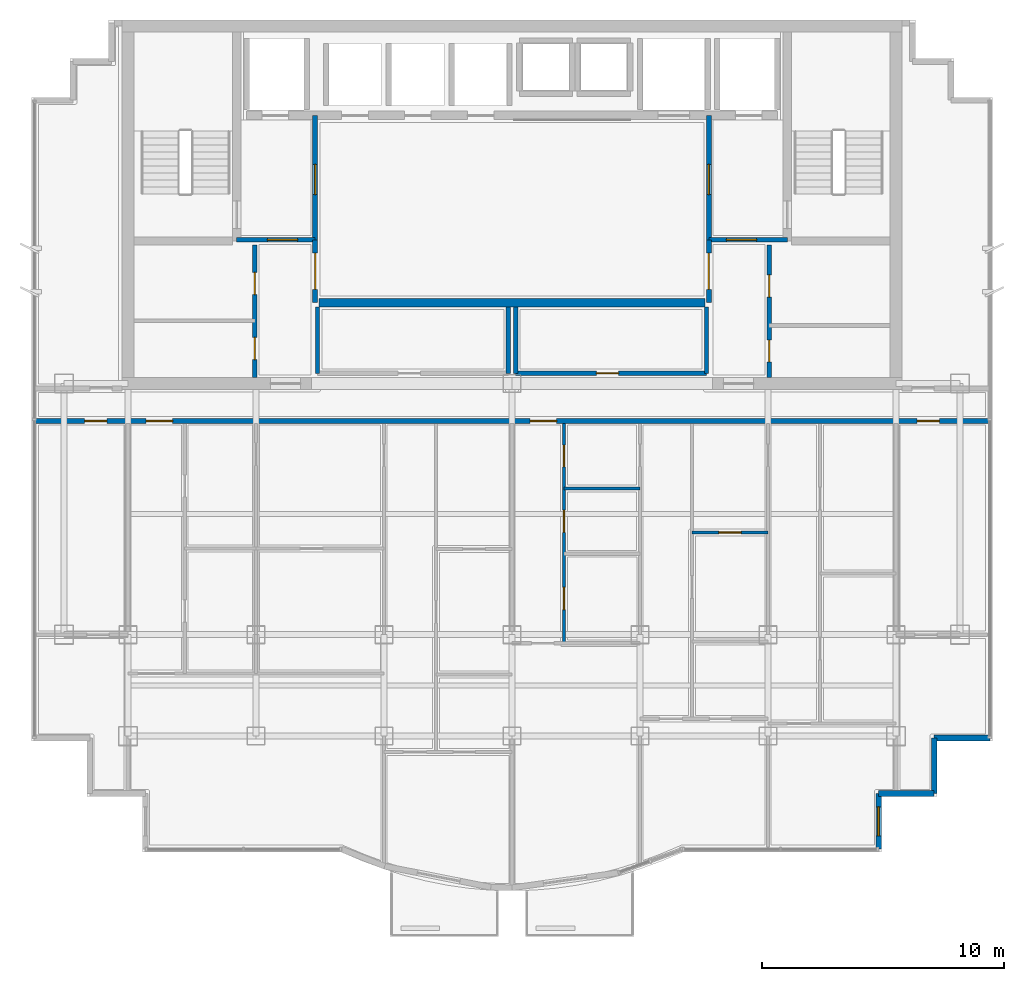
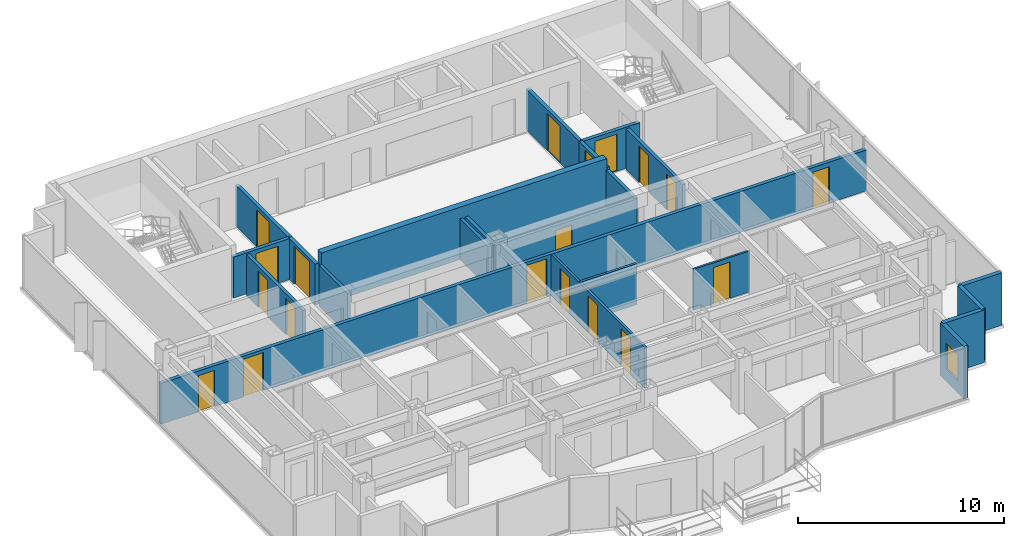
# One storey, part 8 of 12: 22 walls, 19 doors, 1 window, 20 openings.
"""IFC4 building model written with IfcOpenShell, lengths in metres."""

from ifc_helpers import new_model, si_unit, direction, frame, frame_2d, origin, place, context, subcontext, project, spatial, rectangle, extrude, material, layer, layer_set, type_object, element, fill, save


model = new_model("IFC4")

# Units and contexts
model_context = context("Model", 3, precision=1e-05, world=origin(), true_north=direction((0.0, 1.0)))
body_context = subcontext(model_context, "Body", "Model", "MODEL_VIEW")
ifc_project = project(units=[si_unit("LENGTHUNIT", "METRE"), si_unit("AREAUNIT", "SQUARE_METRE"), si_unit("VOLUMEUNIT", "CUBIC_METRE"), si_unit("PLANEANGLEUNIT", "RADIAN"), si_unit("MASSUNIT", "GRAM", prefix="KILO")], contexts=[model_context])

# Site, building, storey
site_placement = place(None, origin())
site = spatial("IfcSite", under=ifc_project, at=site_placement, CompositionType="ELEMENT")
building_placement = place(site_placement, origin())
building = spatial("IfcBuilding", under=site, at=building_placement, Name="Qianlan Lanfeng Residences", CompositionType="ELEMENT")
storey_placement = place(building_placement, frame((0.0, 0.0, 216.5)))
storey = spatial("IfcBuildingStorey", under=building, at=storey_placement, Name="L59", CompositionType="ELEMENT", Elevation=216.5)

# Wall
ifc_material_1 = material(Name="Concrete C49", Category="concrete")
ifc_layer_1 = layer(ifc_material_1, 0.35009765625)
ifc_layer_set_1 = layer_set([ifc_layer_1], Name="Concrete C49")
wall_type_1 = type_object("IfcWallType", Name="CW-RC-350", PredefinedType="SHEAR", material=ifc_layer_set_1)
wall_1_placement = place(storey_placement, frame((18.5, 28.550048828125, 0.0), z_axis=(0.0, 0.0, 1.0), x_axis=(1.0, 0.0, 0.0)))
element("IfcWall", 1, at=wall_1_placement, inside=storey, type_object=wall_type_1, Name="L59 Core Shear Wall LBS", PredefinedType="SHEAR", context=body_context, shape_type="SweptSolid", body=[
    extrude(rectangle(XDim=16.0, YDim=0.35009765625, at=frame_2d((8.0, 0.0))), origin(), (0.0, 0.0, 1.0), 3.110107421875),
])

# Wall, opening, window
ifc_material_2 = material(Name="Concrete C42", Category="concrete")
ifc_layer_2 = layer(ifc_material_2, 0.239990234375)
ifc_layer_set_2 = layer_set([ifc_layer_2], Name="Concrete C42")
wall_type_2 = type_object("IfcWallType", Name="EW-240", PredefinedType="SOLIDWALL", material=ifc_layer_set_2)
wall_2_placement = place(storey_placement, frame((41.679931640625, 5.919921875, 0.0), z_axis=(0.0, 0.0, 1.0), x_axis=(0.0, 1.0, 0.0)))
wall_2 = element("IfcWall", 2, at=wall_2_placement, inside=storey, type_object=wall_type_2, Name="L59 Exterior Facade Spandrel Wall 9", PredefinedType="SOLIDWALL", context=body_context, shape_type="SweptSolid", body=[
    extrude(rectangle(XDim=2.300048828125, YDim=0.239990234375, at=frame_2d((1.14990234375, 0.0))), origin(), (0.0, 0.0, 1.0), 3.110107421875),
])
opening_1_placement = place(wall_2_placement, frame((0.550048828125, 0.0, 0.75)))
opening_1 = element("IfcOpeningElement", 3, at=opening_1_placement, cuts=wall_2, Name="Opening W-03", PredefinedType="OPENING", context=body_context, shape_type="SweptSolid", body=[
    extrude(rectangle(XDim=1.199951171875, YDim=1.5, at=frame_2d((0.60009765625, 0.75))), frame((0.0, 0.1298828125, 0.0), z_axis=(0.0, -1.0, 0.0), x_axis=(1.0, 0.0, 0.0)), (0.0, 0.0, 1.0), 0.260009765625),
])
ifc_material_3 = material(Name="Anodised Bronze Aluminium Framed Double Glazing", Category="aluminium")
window_type = type_object("IfcWindowType", Name="W-03", PartitioningType="SINGLE_PANEL", PredefinedType="WINDOW", material=ifc_material_3)
window_placement = place(opening_1_placement, origin())
window = element("IfcWindow", 4, at=window_placement, inside=storey, type_object=window_type, Name="L59 Facade Punched Window W-03", OverallHeight=1.5, OverallWidth=1.199951171875, PartitioningType="SINGLE_PANEL", PredefinedType="WINDOW", context=body_context, shape_type="SweptSolid", body=[
    extrude(rectangle(XDim=1.199951171875, YDim=1.5, at=frame_2d((0.60009765625, 0.75))), frame((0.0, 0.030029296875, 0.0), z_axis=(0.0, -1.0, 0.0), x_axis=(1.0, 0.0, 0.0)), (0.0, 0.0, 1.0), 0.06005859375),
])
fill(opening_1, window)

# Walls
for number, where, z_axis, x_axis, name in (
    (5, (41.679931640625, 8.219970703125, 0.0), (0.0, 0.0, 1.0), (1.0, 0.0, 0.0), "L59 Exterior Facade Spandrel Wall 10"),
    (6, (43.97998046875, 8.219970703125, 0.0), (0.0, 0.0, 1.0), (0.0, 1.0, 0.0), "L59 Exterior Facade Spandrel Wall 11"),
    (7, (43.97998046875, 10.52001953125, 0.0), (0.0, 0.0, 1.0), (1.0, 0.0, 0.0), "L59 Exterior Facade Spandrel Wall 12"),
):
    element("IfcWall", number, at=place(storey_placement, frame(where, z_axis=z_axis, x_axis=x_axis)), inside=storey, type_object=wall_type_2, Name=name, PredefinedType="SOLIDWALL", context=body_context, shape_type="SweptSolid", body=[
        extrude(rectangle(XDim=2.300048828125, YDim=0.239990234375, at=frame_2d((1.14990234375, 0.0))), origin(), (0.0, 0.0, 1.0), 3.110107421875),
    ])

# Wall, opening, door
ifc_material_4 = material(Name="Demountable Acoustic Framing Partition 110 mm")
ifc_layer_3 = layer(ifc_material_4, 0.110107421875)
ifc_layer_set_3 = layer_set([ifc_layer_3], Name="Demountable Acoustic Framing Partition 110 mm")
wall_type_3 = type_object("IfcWallType", Name="PW-110", PredefinedType="MOVABLE", material=ifc_layer_set_3)
wall_3_placement = place(storey_placement, frame((33.949951171875, 19.034912109375, 0.0), z_axis=(0.0, 0.0, 1.0), x_axis=(1.0, 0.0, 0.0)))
wall_3 = element("IfcWall", 8, at=wall_3_placement, inside=storey, type_object=wall_type_3, Name="L59 U02 Wardrobe Split", PredefinedType="MOVABLE", context=body_context, shape_type="SweptSolid", body=[
    extrude(rectangle(XDim=3.150146484375, YDim=0.110107421875, at=frame_2d((1.5751953125, 0.0))), origin(), (0.0, 0.0, 1.0), 2.429931640625),
])
opening_2_placement = place(wall_3_placement, frame((1.114990234375, 0.0, 0.0)))
opening_2 = element("IfcOpeningElement", 9, at=opening_2_placement, cuts=wall_3, Name="Opening L59-D38", PredefinedType="OPENING", context=body_context, shape_type="SweptSolid", body=[
    extrude(rectangle(XDim=0.919921875, YDim=2.14990234375, at=frame_2d((0.4599609375, 1.074951171875))), frame((0.0, 0.06494140625, 0.0), z_axis=(0.0, -1.0, 0.0), x_axis=(1.0, 0.0, 0.0)), (0.0, 0.0, 1.0), 0.130126953125),
])
ifc_material_5 = material(Name="Glazed Timber Kitchen/Study Door", Category="wood")
door_type_1 = type_object("IfcDoorType", Name="DT-INT", OperationType="NOTDEFINED", PredefinedType="DOOR", material=ifc_material_5)
door_1_placement = place(opening_2_placement, origin())
door_1 = element("IfcDoor", 10, at=door_1_placement, inside=storey, type_object=door_type_1, Name="L59 U02 Dressing Inner Door L59-D38 (DT-INT)", OperationType="SINGLE_SWING_RIGHT", OverallHeight=2.14990234375, OverallWidth=0.919921875, PredefinedType="DOOR", context=body_context, shape_type="SweptSolid", body=[
    extrude(rectangle(XDim=0.919921875, YDim=2.14990234375, at=frame_2d((0.4599609375, 1.074951171875))), frame((0.0, 0.02490234375, 0.0), z_axis=(0.0, -1.0, 0.0), x_axis=(1.0, 0.0, 0.0)), (0.0, 0.0, 1.0), 0.050048828125),
])
fill(opening_2, door_1)

# Wall, openings, doors
ifc_material_6 = material(Name="Moisture-Resistant Gypsum Partition 135 mm")
ifc_layer_4 = layer(ifc_material_6, 0.135009765625)
ifc_layer_set_4 = layer_set([ifc_layer_4], Name="Moisture-Resistant Gypsum Partition 135 mm")
wall_type_4 = type_object("IfcWallType", Name="PW-135", PredefinedType="PARTITIONING", material=ifc_layer_set_4)
wall_4_placement = place(storey_placement, frame((28.64990234375, 14.447998046875, 0.0), z_axis=(0.0, 0.0, 1.0), x_axis=(0.0, 1.0, 0.0)))
wall_4 = element("IfcWall", 11, at=wall_4_placement, inside=storey, type_object=wall_type_4, Name="L59 U02 Entry Hall Spine", PredefinedType="PARTITIONING", context=body_context, shape_type="SweptSolid", body=[
    extrude(rectangle(XDim=9.10205078125, YDim=0.135009765625, at=frame_2d((4.551025390625, 0.0))), origin(), (0.0, 0.0, 1.0), 2.429931640625),
])
opening_3_placement = place(wall_4_placement, frame((1.39111328125, 0.0, 0.0)))
opening_3 = element("IfcOpeningElement", 12, at=opening_3_placement, cuts=wall_4, Name="Opening L59-D32", PredefinedType="OPENING", context=body_context, shape_type="SweptSolid", body=[
    extrude(rectangle(XDim=0.919921875, YDim=2.14990234375, at=frame_2d((0.4599609375, 1.074951171875))), frame((0.0, 0.07763671875, 0.0), z_axis=(0.0, -1.0, 0.0), x_axis=(1.0, 0.0, 0.0)), (0.0, 0.0, 1.0), 0.155029296875),
])
opening_4_placement = place(wall_4_placement, frame((4.592041015625, 0.0, 0.0)))
opening_4 = element("IfcOpeningElement", 13, at=opening_4_placement, cuts=wall_4, Name="Opening L59-D33", PredefinedType="OPENING", context=body_context, shape_type="SweptSolid", body=[
    extrude(rectangle(XDim=0.919921875, YDim=2.14990234375, at=frame_2d((0.4599609375, 1.074951171875))), frame((0.0, 0.07763671875, 0.0), z_axis=(0.0, -1.0, 0.0), x_axis=(1.0, 0.0, 0.0)), (0.0, 0.0, 1.0), 0.155029296875),
])
opening_5_placement = place(wall_4_placement, frame((7.302001953125, 0.0, 0.0)))
opening_5 = element("IfcOpeningElement", 14, at=opening_5_placement, cuts=wall_4, Name="Opening L59-D34", PredefinedType="OPENING", context=body_context, shape_type="SweptSolid", body=[
    extrude(rectangle(XDim=0.89990234375, YDim=2.14990234375, at=frame_2d((0.449951171875, 1.074951171875))), frame((0.0, 0.07763671875, 0.0), z_axis=(0.0, -1.0, 0.0), x_axis=(1.0, 0.0, 0.0)), (0.0, 0.0, 1.0), 0.155029296875),
])
door_2_placement = place(opening_3_placement, origin())
door_2 = element("IfcDoor", 15, at=door_2_placement, inside=storey, type_object=door_type_1, Name="L59 U02 Study Door L59-D32 (DT-INT)", OperationType="SINGLE_SWING_RIGHT", OverallHeight=2.14990234375, OverallWidth=0.919921875, PredefinedType="DOOR", context=body_context, shape_type="SweptSolid", body=[
    extrude(rectangle(XDim=0.919921875, YDim=2.14990234375, at=frame_2d((0.4599609375, 1.074951171875))), frame((0.0, 0.02490234375, 0.0), z_axis=(0.0, -1.0, 0.0), x_axis=(1.0, 0.0, 0.0)), (0.0, 0.0, 1.0), 0.050048828125),
])
fill(opening_3, door_2)
door_3_placement = place(opening_4_placement, origin())
door_3 = element("IfcDoor", 16, at=door_3_placement, inside=storey, type_object=door_type_1, Name="L59 U02 Kitchen Door L59-D33 (DT-INT)", OperationType="SINGLE_SWING_LEFT", OverallHeight=2.14990234375, OverallWidth=0.919921875, PredefinedType="DOOR", context=body_context, shape_type="SweptSolid", body=[
    extrude(rectangle(XDim=0.919921875, YDim=2.14990234375, at=frame_2d((0.4599609375, 1.074951171875))), frame((0.0, 0.02490234375, 0.0), z_axis=(0.0, -1.0, 0.0), x_axis=(1.0, 0.0, 0.0)), (0.0, 0.0, 1.0), 0.050048828125),
])
fill(opening_4, door_3)
ifc_material_7 = material(Name="Moisture-Resistant Timber Leaf", Category="wood")
door_type_2 = type_object("IfcDoorType", Name="DT-WC", OperationType="NOTDEFINED", PredefinedType="DOOR", material=ifc_material_7)
door_4_placement = place(opening_5_placement, origin())
door_4 = element("IfcDoor", 17, at=door_4_placement, inside=storey, type_object=door_type_2, Name="L59 U02 Bathroom Door L59-D34 (DT-WC)", OperationType="SINGLE_SWING_RIGHT", OverallHeight=2.14990234375, OverallWidth=0.89990234375, PredefinedType="DOOR", context=body_context, shape_type="SweptSolid", body=[
    extrude(rectangle(XDim=0.89990234375, YDim=2.14990234375, at=frame_2d((0.449951171875, 1.074951171875))), frame((0.0, 0.02490234375, 0.0), z_axis=(0.0, -1.0, 0.0), x_axis=(1.0, 0.0, 0.0)), (0.0, 0.0, 1.0), 0.050048828125),
])
fill(opening_5, door_4)

# Wall
wall_5_placement = place(storey_placement, frame((28.64990234375, 20.85009765625, 0.0), z_axis=(0.0, 0.0, 1.0), x_axis=(1.0, 0.0, 0.0)))
element("IfcWall", 18, at=wall_5_placement, inside=storey, type_object=wall_type_4, Name="L59 U02 Bathroom South Wall", PredefinedType="PARTITIONING", context=body_context, shape_type="SweptSolid", body=[
    extrude(rectangle(XDim=3.150146484375, YDim=0.135009765625, at=frame_2d((1.5751953125, 0.0))), origin(), (0.0, 0.0, 1.0), 2.429931640625),
])

# Wall, openings, doors
ifc_material_8 = material(Name="Double-Layer Acoustic Gypsum Stud Wall 180 mm")
ifc_layer_5 = layer(ifc_material_8, 0.179931640625)
ifc_layer_set_5 = layer_set([ifc_layer_5], Name="Double-Layer Acoustic Gypsum Stud Wall 180 mm")
wall_type_5 = type_object("IfcWallType", Name="PW-180", PredefinedType="PARTITIONING", material=ifc_layer_set_5)
wall_6_placement = place(storey_placement, frame((15.85009765625, 25.449951171875, 0.0), z_axis=(0.0, 0.0, 1.0), x_axis=(0.0, 1.0, 0.0)))
wall_6 = element("IfcWall", 19, at=wall_6_placement, inside=storey, type_object=wall_type_5, Name="L59 Core West Service Room Wall", PredefinedType="PARTITIONING", context=body_context, shape_type="SweptSolid", body=[
    extrude(rectangle(XDim=5.47509765625, YDim=0.179931640625, at=frame_2d((2.737548828125, 0.0))), origin(), (0.0, 0.0, 1.0), 2.429931640625),
])
opening_6_placement = place(wall_6_placement, frame((0.739990234375, 0.0, 0.0)))
opening_6 = element("IfcOpeningElement", 20, at=opening_6_placement, cuts=wall_6, Name="Opening L59-D09", PredefinedType="OPENING", context=body_context, shape_type="SweptSolid", body=[
    extrude(rectangle(XDim=0.919921875, YDim=2.14990234375, at=frame_2d((0.4599609375, 1.074951171875))), frame((0.0, 0.10009765625, 0.0), z_axis=(0.0, -1.0, 0.0), x_axis=(1.0, 0.0, 0.0)), (0.0, 0.0, 1.0), 0.199951171875),
])
opening_7_placement = place(wall_6_placement, frame((3.427001953125, 0.0, 0.0)))
opening_7 = element("IfcOpeningElement", 21, at=opening_7_placement, cuts=wall_6, Name="Opening L59-D10", PredefinedType="OPENING", context=body_context, shape_type="SweptSolid", body=[
    extrude(rectangle(XDim=0.919921875, YDim=2.14990234375, at=frame_2d((0.4599609375, 1.074951171875))), frame((0.0, 0.10009765625, 0.0), z_axis=(0.0, -1.0, 0.0), x_axis=(1.0, 0.0, 0.0)), (0.0, 0.0, 1.0), 0.199951171875),
])
door_5_placement = place(opening_6_placement, origin())
door_5 = element("IfcDoor", 22, at=door_5_placement, inside=storey, type_object=door_type_1, Name="L59 Parcel Room Door L59-D09 (DT-INT)", OperationType="SINGLE_SWING_LEFT", OverallHeight=2.14990234375, OverallWidth=0.919921875, PredefinedType="DOOR", context=body_context, shape_type="SweptSolid", body=[
    extrude(rectangle(XDim=0.919921875, YDim=2.14990234375, at=frame_2d((0.4599609375, 1.074951171875))), frame((0.0, 0.02490234375, 0.0), z_axis=(0.0, -1.0, 0.0), x_axis=(1.0, 0.0, 0.0)), (0.0, 0.0, 1.0), 0.050048828125),
])
fill(opening_6, door_5)
door_6_placement = place(opening_7_placement, origin())
door_6 = element("IfcDoor", 23, at=door_6_placement, inside=storey, type_object=door_type_1, Name="L59 Janitor Closet Door L59-D10 (DT-INT)", OperationType="SINGLE_SWING_RIGHT", OverallHeight=2.14990234375, OverallWidth=0.919921875, PredefinedType="DOOR", context=body_context, shape_type="SweptSolid", body=[
    extrude(rectangle(XDim=0.919921875, YDim=2.14990234375, at=frame_2d((0.4599609375, 1.074951171875))), frame((0.0, 0.02490234375, 0.0), z_axis=(0.0, -1.0, 0.0), x_axis=(1.0, 0.0, 0.0)), (0.0, 0.0, 1.0), 0.050048828125),
])
fill(opening_7, door_6)

wall_7_placement = place(storey_placement, frame((37.14990234375, 25.449951171875, 0.0), z_axis=(0.0, 0.0, 1.0), x_axis=(0.0, 1.0, 0.0)))
wall_7 = element("IfcWall", 24, at=wall_7_placement, inside=storey, type_object=wall_type_5, Name="L59 Core East Service Room Wall", PredefinedType="PARTITIONING", context=body_context, shape_type="SweptSolid", body=[
    extrude(rectangle(XDim=5.47509765625, YDim=0.179931640625, at=frame_2d((2.737548828125, 0.0))), origin(), (0.0, 0.0, 1.0), 2.429931640625),
])
opening_8_placement = place(wall_7_placement, frame((0.64990234375, 0.0, 0.0)))
opening_8 = element("IfcOpeningElement", 25, at=opening_8_placement, cuts=wall_7, Name="Opening L59-D11", PredefinedType="OPENING", context=body_context, shape_type="SweptSolid", body=[
    extrude(rectangle(XDim=0.89990234375, YDim=2.14990234375, at=frame_2d((0.449951171875, 1.074951171875))), frame((0.0, 0.10009765625, 0.0), z_axis=(0.0, -1.0, 0.0), x_axis=(1.0, 0.0, 0.0)), (0.0, 0.0, 1.0), 0.199951171875),
])
opening_9_placement = place(wall_7_placement, frame((3.326904296875, 0.0, 0.0)))
opening_9 = element("IfcOpeningElement", 26, at=opening_9_placement, cuts=wall_7, Name="Opening L59-D12", PredefinedType="OPENING", context=body_context, shape_type="SweptSolid", body=[
    extrude(rectangle(XDim=0.919921875, YDim=2.14990234375, at=frame_2d((0.4599609375, 1.074951171875))), frame((0.0, 0.10009765625, 0.0), z_axis=(0.0, -1.0, 0.0), x_axis=(1.0, 0.0, 0.0)), (0.0, 0.0, 1.0), 0.199951171875),
])
door_7_placement = place(opening_9_placement, origin())
door_7 = element("IfcDoor", 27, at=door_7_placement, inside=storey, type_object=door_type_1, Name="L59 Refuse Room Door L59-D12 (DT-INT)", OperationType="SINGLE_SWING_RIGHT", OverallHeight=2.14990234375, OverallWidth=0.919921875, PredefinedType="DOOR", context=body_context, shape_type="SweptSolid", body=[
    extrude(rectangle(XDim=0.919921875, YDim=2.14990234375, at=frame_2d((0.4599609375, 1.074951171875))), frame((0.0, 0.02490234375, 0.0), z_axis=(0.0, -1.0, 0.0), x_axis=(1.0, 0.0, 0.0)), (0.0, 0.0, 1.0), 0.050048828125),
])
fill(opening_9, door_7)
door_8_placement = place(opening_8_placement, origin())
door_8 = element("IfcDoor", 28, at=door_8_placement, inside=storey, type_object=door_type_2, Name="L59 Core WC Door L59-D11 (DT-WC)", OperationType="SINGLE_SWING_LEFT", OverallHeight=2.14990234375, OverallWidth=0.89990234375, PredefinedType="DOOR", context=body_context, shape_type="SweptSolid", body=[
    extrude(rectangle(XDim=0.89990234375, YDim=2.14990234375, at=frame_2d((0.449951171875, 1.074951171875))), frame((0.0, 0.02490234375, 0.0), z_axis=(0.0, -1.0, 0.0), x_axis=(1.0, 0.0, 0.0)), (0.0, 0.0, 1.0), 0.050048828125),
])
fill(opening_8, door_8)

# Walls
for number, where, z_axis, x_axis, name in (
    (29, (18.449951171875, 25.6201171875, 0.0), (0.0, 0.0, 1.0), (0.0, 1.0, 0.0), "L59 Reclaimed Low-Bank Room West Wall"),
    (30, (26.35009765625, 25.6201171875, 0.0), (0.0, 0.0, 1.0), (0.0, 1.0, 0.0), "L59 Reclaimed Low-Bank Room East Wall"),
    (31, (26.64990234375, 25.6201171875, 0.0), (0.0, 0.0, 1.0), (0.0, 1.0, 0.0), "L59 Reclaimed Mid-Bank Room West Wall"),
    (32, (34.550048828125, 25.6201171875, 0.0), (0.0, 0.0, 1.0), (0.0, 1.0, 0.0), "L59 Reclaimed Mid-Bank Room East Wall"),
):
    element("IfcWall", number, at=place(storey_placement, frame(where, z_axis=z_axis, x_axis=x_axis)), inside=storey, type_object=wall_type_5, Name=name, PredefinedType="PARTITIONING", context=body_context, shape_type="SweptSolid", body=[
        extrude(rectangle(XDim=2.7548828125, YDim=0.179931640625, at=frame_2d((1.37744140625, 0.0))), origin(), (0.0, 0.0, 1.0), 2.429931640625),
    ])

# Wall, opening, door
wall_8_placement = place(storey_placement, frame((26.64990234375, 25.6201171875, 0.0), z_axis=(0.0, 0.0, 1.0), x_axis=(1.0, 0.0, 0.0)))
wall_8 = element("IfcWall", 33, at=wall_8_placement, inside=storey, type_object=wall_type_5, Name="L59 Reclaimed Mid-Bank Room South Wall", PredefinedType="PARTITIONING", context=body_context, shape_type="SweptSolid", body=[
    extrude(rectangle(XDim=7.900146484375, YDim=0.179931640625, at=frame_2d((3.9501953125, 0.0))), origin(), (0.0, 0.0, 1.0), 2.429931640625),
])
opening_10_placement = place(wall_8_placement, frame((3.340087890625, 0.0, 0.0)))
opening_10 = element("IfcOpeningElement", 34, at=opening_10_placement, cuts=wall_8, Name="Opening L59-D16", PredefinedType="OPENING", context=body_context, shape_type="SweptSolid", body=[
    extrude(rectangle(XDim=0.919921875, YDim=2.14990234375, at=frame_2d((0.4599609375, 1.074951171875))), frame((0.0, 0.10009765625, 0.0), z_axis=(0.0, -1.0, 0.0), x_axis=(1.0, 0.0, 0.0)), (0.0, 0.0, 1.0), 0.199951171875),
])
door_9_placement = place(opening_10_placement, origin())
door_9 = element("IfcDoor", 35, at=door_9_placement, inside=storey, type_object=door_type_1, Name="L59 Reclaimed Mid-Bank Salon Door L59-D16 (DT-INT)", OperationType="SINGLE_SWING_RIGHT", OverallHeight=2.14990234375, OverallWidth=0.919921875, PredefinedType="DOOR", context=body_context, shape_type="SweptSolid", body=[
    extrude(rectangle(XDim=0.919921875, YDim=2.14990234375, at=frame_2d((0.4599609375, 1.074951171875))), frame((0.0, 0.02490234375, 0.0), z_axis=(0.0, -1.0, 0.0), x_axis=(1.0, 0.0, 0.0)), (0.0, 0.0, 1.0), 0.050048828125),
])
fill(opening_10, door_9)

ifc_material_9 = material(Name="Autoclaved Aerated Concrete Blockwork 200 mm", Category="masonry")
ifc_layer_6 = layer(ifc_material_9, 0.199951171875)
ifc_layer_set_6 = layer_set([ifc_layer_6], Name="Autoclaved Aerated Concrete Blockwork 200 mm")
wall_type_6 = type_object("IfcWallType", Name="PW-200", PredefinedType="PARTITIONING", material=ifc_layer_set_6)
wall_9_placement = place(storey_placement, frame((15.10009765625, 31.14990234375, 0.0), z_axis=(0.0, 0.0, 1.0), x_axis=(1.0, 0.0, 0.0)))
wall_9 = element("IfcWall", 36, at=wall_9_placement, inside=storey, type_object=wall_type_6, Name="L59 Firefighting Lobby 1 South Wall", PredefinedType="PARTITIONING", context=body_context, shape_type="SweptSolid", body=[
    extrude(rectangle(XDim=3.25, YDim=0.199951171875, at=frame_2d((1.625, 0.0))), origin(), (0.0, 0.0, 1.0), 2.429931640625),
])
opening_11_placement = place(wall_9_placement, frame((1.27490234375, 0.0, 0.0)))
opening_11 = element("IfcOpeningElement", 37, at=opening_11_placement, cuts=wall_9, Name="Opening L59-D03", PredefinedType="OPENING", context=body_context, shape_type="SweptSolid", body=[
    extrude(rectangle(XDim=1.25, YDim=2.199951171875, at=frame_2d((0.625, 1.10009765625))), frame((0.0, 0.10986328125, 0.0), z_axis=(0.0, -1.0, 0.0), x_axis=(1.0, 0.0, 0.0)), (0.0, 0.0, 1.0), 0.219970703125),
])
ifc_material_10 = material(Name="Painted Galvanised Steel Fire Door", Category="steel")
door_type_3 = type_object("IfcDoorType", Name="DT-FFL", OperationType="NOTDEFINED", PredefinedType="DOOR", material=ifc_material_10)
door_10_placement = place(opening_11_placement, origin())
door_10 = element("IfcDoor", 38, at=door_10_placement, inside=storey, type_object=door_type_3, Name="L59 Firefighting Lobby 1 Entry Door L59-D03 (DT-FFL)", OperationType="SINGLE_SWING_LEFT", OverallHeight=2.199951171875, OverallWidth=1.25, PredefinedType="DOOR", context=body_context, shape_type="SweptSolid", body=[
    extrude(rectangle(XDim=1.25, YDim=2.199951171875, at=frame_2d((0.625, 1.10009765625))), frame((0.0, 0.02490234375, 0.0), z_axis=(0.0, -1.0, 0.0), x_axis=(1.0, 0.0, 0.0)), (0.0, 0.0, 1.0), 0.050048828125),
])
fill(opening_11, door_10)

wall_10_placement = place(storey_placement, frame((18.35009765625, 31.14990234375, 0.0), z_axis=(0.0, 0.0, 1.0), x_axis=(0.0, 1.0, 0.0)))
wall_10 = element("IfcWall", 39, at=wall_10_placement, inside=storey, type_object=wall_type_6, Name="L59 Firefighting Lobby 1 East Wall", PredefinedType="PARTITIONING", context=body_context, shape_type="SweptSolid", body=[
    extrude(rectangle(XDim=5.150146484375, YDim=0.199951171875, at=frame_2d((2.5751953125, 0.0))), origin(), (0.0, 0.0, 1.0), 2.429931640625),
])
opening_12_placement = place(wall_10_placement, frame((1.875, 0.0, 0.0)))
opening_12 = element("IfcOpeningElement", 40, at=opening_12_placement, cuts=wall_10, Name="Opening L59-D04", PredefinedType="OPENING", context=body_context, shape_type="SweptSolid", body=[
    extrude(rectangle(XDim=1.25, YDim=2.199951171875, at=frame_2d((0.625, 1.10009765625))), frame((0.0, 0.10986328125, 0.0), z_axis=(0.0, -1.0, 0.0), x_axis=(1.0, 0.0, 0.0)), (0.0, 0.0, 1.0), 0.219970703125),
])
door_11_placement = place(opening_12_placement, origin())
door_11 = element("IfcDoor", 41, at=door_11_placement, inside=storey, type_object=door_type_3, Name="L59 Firefighting Lobby 1 Lift Lobby Door L59-D04 (DT-FFL)", OperationType="SINGLE_SWING_RIGHT", OverallHeight=2.199951171875, OverallWidth=1.25, PredefinedType="DOOR", context=body_context, shape_type="SweptSolid", body=[
    extrude(rectangle(XDim=1.25, YDim=2.199951171875, at=frame_2d((0.625, 1.10009765625))), frame((0.0, 0.02490234375, 0.0), z_axis=(0.0, -1.0, 0.0), x_axis=(1.0, 0.0, 0.0)), (0.0, 0.0, 1.0), 0.050048828125),
])
fill(opening_12, door_11)

wall_11_placement = place(storey_placement, frame((34.64990234375, 31.14990234375, 0.0), z_axis=(0.0, 0.0, 1.0), x_axis=(1.0, 0.0, 0.0)))
wall_11 = element("IfcWall", 42, at=wall_11_placement, inside=storey, type_object=wall_type_6, Name="L59 Firefighting Lobby 2 South Wall", PredefinedType="PARTITIONING", context=body_context, shape_type="SweptSolid", body=[
    extrude(rectangle(XDim=3.25, YDim=0.199951171875, at=frame_2d((1.625, 0.0))), origin(), (0.0, 0.0, 1.0), 2.429931640625),
])
opening_13_placement = place(wall_11_placement, frame((0.72509765625, 0.0, 0.0)))
opening_13 = element("IfcOpeningElement", 43, at=opening_13_placement, cuts=wall_11, Name="Opening L59-D05", PredefinedType="OPENING", context=body_context, shape_type="SweptSolid", body=[
    extrude(rectangle(XDim=1.25, YDim=2.199951171875, at=frame_2d((0.625, 1.10009765625))), frame((0.0, 0.10986328125, 0.0), z_axis=(0.0, -1.0, 0.0), x_axis=(1.0, 0.0, 0.0)), (0.0, 0.0, 1.0), 0.219970703125),
])
door_12_placement = place(opening_13_placement, origin())
door_12 = element("IfcDoor", 44, at=door_12_placement, inside=storey, type_object=door_type_3, Name="L59 Firefighting Lobby 2 Entry Door L59-D05 (DT-FFL)", OperationType="SINGLE_SWING_RIGHT", OverallHeight=2.199951171875, OverallWidth=1.25, PredefinedType="DOOR", context=body_context, shape_type="SweptSolid", body=[
    extrude(rectangle(XDim=1.25, YDim=2.199951171875, at=frame_2d((0.625, 1.10009765625))), frame((0.0, 0.02490234375, 0.0), z_axis=(0.0, -1.0, 0.0), x_axis=(1.0, 0.0, 0.0)), (0.0, 0.0, 1.0), 0.050048828125),
])
fill(opening_13, door_12)

wall_12_placement = place(storey_placement, frame((34.64990234375, 31.14990234375, 0.0), z_axis=(0.0, 0.0, 1.0), x_axis=(0.0, 1.0, 0.0)))
wall_12 = element("IfcWall", 45, at=wall_12_placement, inside=storey, type_object=wall_type_6, Name="L59 Firefighting Lobby 2 West Wall", PredefinedType="PARTITIONING", context=body_context, shape_type="SweptSolid", body=[
    extrude(rectangle(XDim=5.150146484375, YDim=0.199951171875, at=frame_2d((2.5751953125, 0.0))), origin(), (0.0, 0.0, 1.0), 2.429931640625),
])
opening_14_placement = place(wall_12_placement, frame((1.875, 0.0, 0.0)))
opening_14 = element("IfcOpeningElement", 46, at=opening_14_placement, cuts=wall_12, Name="Opening L59-D06", PredefinedType="OPENING", context=body_context, shape_type="SweptSolid", body=[
    extrude(rectangle(XDim=1.25, YDim=2.199951171875, at=frame_2d((0.625, 1.10009765625))), frame((0.0, 0.10986328125, 0.0), z_axis=(0.0, -1.0, 0.0), x_axis=(1.0, 0.0, 0.0)), (0.0, 0.0, 1.0), 0.219970703125),
])
door_13_placement = place(opening_14_placement, origin())
door_13 = element("IfcDoor", 47, at=door_13_placement, inside=storey, type_object=door_type_3, Name="L59 Firefighting Lobby 2 Lift Lobby Door L59-D06 (DT-FFL)", OperationType="SINGLE_SWING_RIGHT", OverallHeight=2.199951171875, OverallWidth=1.25, PredefinedType="DOOR", context=body_context, shape_type="SweptSolid", body=[
    extrude(rectangle(XDim=1.25, YDim=2.199951171875, at=frame_2d((0.625, 1.10009765625))), frame((0.0, 0.02490234375, 0.0), z_axis=(0.0, -1.0, 0.0), x_axis=(1.0, 0.0, 0.0)), (0.0, 0.0, 1.0), 0.050048828125),
])
fill(opening_14, door_13)

wall_13_placement = place(storey_placement, frame((18.35009765625, 28.550048828125, 0.0), z_axis=(0.0, 0.0, 1.0), x_axis=(0.0, 1.0, 0.0)))
wall_13 = element("IfcWall", 48, at=wall_13_placement, inside=storey, type_object=wall_type_6, Name="L59 Lift Lobby West Connector Wall", PredefinedType="PARTITIONING", context=body_context, shape_type="SweptSolid", body=[
    extrude(rectangle(XDim=2.599853515625, YDim=0.199951171875, at=frame_2d((1.2998046875, 0.0))), origin(), (0.0, 0.0, 1.0), 2.429931640625),
])
opening_15_placement = place(wall_13_placement, frame((0.550048828125, 0.0, 0.0)))
opening_15 = element("IfcOpeningElement", 49, at=opening_15_placement, cuts=wall_13, Name="Opening L59-D13", PredefinedType="OPENING", context=body_context, shape_type="SweptSolid", body=[
    extrude(rectangle(XDim=1.5, YDim=2.25, at=frame_2d((0.75, 1.125))), frame((0.0, 0.10986328125, 0.0), z_axis=(0.0, -1.0, 0.0), x_axis=(1.0, 0.0, 0.0)), (0.0, 0.0, 1.0), 0.219970703125),
])
ifc_material_11 = material(Name="Timber Veneer Acoustic Fire Door", Category="wood")
door_type_4 = type_object("IfcDoorType", Name="DT-COR1", OperationType="NOTDEFINED", PredefinedType="DOOR", material=ifc_material_11)
door_14_placement = place(opening_15_placement, origin())
door_14 = element("IfcDoor", 50, at=door_14_placement, inside=storey, type_object=door_type_4, Name="L59 Lift Lobby West Portal Door L59-D13 (DT-COR1)", OperationType="DOUBLE_DOOR_SINGLE_SWING", OverallHeight=2.25, OverallWidth=1.5, PredefinedType="DOOR", context=body_context, shape_type="SweptSolid", body=[
    extrude(rectangle(XDim=1.5, YDim=2.25, at=frame_2d((0.75, 1.125))), frame((0.0, 0.02490234375, 0.0), z_axis=(0.0, -1.0, 0.0), x_axis=(1.0, 0.0, 0.0)), (0.0, 0.0, 1.0), 0.050048828125),
])
fill(opening_15, door_14)

wall_14_placement = place(storey_placement, frame((34.64990234375, 28.550048828125, 0.0), z_axis=(0.0, 0.0, 1.0), x_axis=(0.0, 1.0, 0.0)))
wall_14 = element("IfcWall", 51, at=wall_14_placement, inside=storey, type_object=wall_type_6, Name="L59 Lift Lobby East Connector Wall", PredefinedType="PARTITIONING", context=body_context, shape_type="SweptSolid", body=[
    extrude(rectangle(XDim=2.599853515625, YDim=0.199951171875, at=frame_2d((1.2998046875, 0.0))), origin(), (0.0, 0.0, 1.0), 2.429931640625),
])
opening_16_placement = place(wall_14_placement, frame((0.550048828125, 0.0, 0.0)))
opening_16 = element("IfcOpeningElement", 52, at=opening_16_placement, cuts=wall_14, Name="Opening L59-D14", PredefinedType="OPENING", context=body_context, shape_type="SweptSolid", body=[
    extrude(rectangle(XDim=1.5, YDim=2.25, at=frame_2d((0.75, 1.125))), frame((0.0, 0.10986328125, 0.0), z_axis=(0.0, -1.0, 0.0), x_axis=(1.0, 0.0, 0.0)), (0.0, 0.0, 1.0), 0.219970703125),
])
door_15_placement = place(opening_16_placement, frame((1.5, 0.0, 0.0), z_axis=(0.0, 0.0, 1.0), x_axis=(-1.0, 0.0, 0.0)))
door_15 = element("IfcDoor", 53, at=door_15_placement, inside=storey, type_object=door_type_4, Name="L59 Lift Lobby East Portal Door L59-D14 (DT-COR1)", OperationType="DOUBLE_DOOR_SINGLE_SWING", OverallHeight=2.25, OverallWidth=1.5, PredefinedType="DOOR", context=body_context, shape_type="SweptSolid", body=[
    extrude(rectangle(XDim=1.5, YDim=2.25, at=frame_2d((0.75, 1.125))), frame((0.0, 0.02490234375, 0.0), z_axis=(0.0, -1.0, 0.0), x_axis=(1.0, 0.0, 0.0)), (0.0, 0.0, 1.0), 0.050048828125),
])
fill(opening_16, door_15)

# Wall, openings, doors
wall_15_placement = place(storey_placement, frame((6.719970703125, 23.64990234375, 0.0), z_axis=(0.0, 0.0, 1.0), x_axis=(1.0, 0.0, 0.0)))
wall_15 = element("IfcWall", 54, at=wall_15_placement, inside=storey, type_object=wall_type_6, Name="L59 Residential Corridor South Fire Wall", PredefinedType="PARTITIONING", context=body_context, shape_type="SweptSolid", body=[
    extrude(rectangle(XDim=39.56005859375, YDim=0.199951171875, at=frame_2d((19.780029296875, 0.0))), origin(), (0.0, 0.0, 1.0), 2.429931640625),
])
opening_17_placement = place(wall_15_placement, frame((4.6298828125, 0.0, 0.0)))
opening_17 = element("IfcOpeningElement", 55, at=opening_17_placement, cuts=wall_15, Name="Opening L59-D17", PredefinedType="OPENING", context=body_context, shape_type="SweptSolid", body=[
    extrude(rectangle(XDim=1.10009765625, YDim=2.25, at=frame_2d((0.550048828125, 1.125))), frame((0.0, 0.10986328125, 0.0), z_axis=(0.0, -1.0, 0.0), x_axis=(1.0, 0.0, 0.0)), (0.0, 0.0, 1.0), 0.219970703125),
])
opening_18_placement = place(wall_15_placement, frame((20.530029296875, 0.0, 0.0)))
opening_18 = element("IfcOpeningElement", 56, at=opening_18_placement, cuts=wall_15, Name="Opening L59-D28", PredefinedType="OPENING", context=body_context, shape_type="SweptSolid", body=[
    extrude(rectangle(XDim=1.10009765625, YDim=2.25, at=frame_2d((0.550048828125, 1.125))), frame((0.0, 0.10986328125, 0.0), z_axis=(0.0, -1.0, 0.0), x_axis=(1.0, 0.0, 0.0)), (0.0, 0.0, 1.0), 0.219970703125),
])
opening_19_placement = place(wall_15_placement, frame((2.0849609375, 0.0, 0.0)))
opening_19 = element("IfcOpeningElement", 57, at=opening_19_placement, cuts=wall_15, Name="Opening L59-D43", PredefinedType="OPENING", context=body_context, shape_type="SweptSolid", body=[
    extrude(rectangle(XDim=0.919921875, YDim=2.14990234375, at=frame_2d((0.4599609375, 1.074951171875))), frame((0.0, 0.10986328125, 0.0), z_axis=(0.0, -1.0, 0.0), x_axis=(1.0, 0.0, 0.0)), (0.0, 0.0, 1.0), 0.219970703125),
])
opening_20_placement = place(wall_15_placement, frame((36.554931640625, 0.0, 0.0)))
opening_20 = element("IfcOpeningElement", 58, at=opening_20_placement, cuts=wall_15, Name="Opening L59-D45", PredefinedType="OPENING", context=body_context, shape_type="SweptSolid", body=[
    extrude(rectangle(XDim=0.919921875, YDim=2.14990234375, at=frame_2d((0.4599609375, 1.074951171875))), frame((0.0, 0.10986328125, 0.0), z_axis=(0.0, -1.0, 0.0), x_axis=(1.0, 0.0, 0.0)), (0.0, 0.0, 1.0), 0.219970703125),
])
door_16_placement = place(opening_19_placement, origin())
door_16 = element("IfcDoor", 59, at=door_16_placement, inside=storey, type_object=door_type_1, Name="L59 SWP Corridor Door L59-D43 (DT-INT)", OperationType="SINGLE_SWING_LEFT", OverallHeight=2.14990234375, OverallWidth=0.919921875, PredefinedType="DOOR", context=body_context, shape_type="SweptSolid", body=[
    extrude(rectangle(XDim=0.919921875, YDim=2.14990234375, at=frame_2d((0.4599609375, 1.074951171875))), frame((0.0, 0.02490234375, 0.0), z_axis=(0.0, -1.0, 0.0), x_axis=(1.0, 0.0, 0.0)), (0.0, 0.0, 1.0), 0.050048828125),
])
fill(opening_19, door_16)
door_17_placement = place(opening_20_placement, origin())
door_17 = element("IfcDoor", 60, at=door_17_placement, inside=storey, type_object=door_type_1, Name="L59 SEP Corridor Door L59-D45 (DT-INT)", OperationType="SINGLE_SWING_LEFT", OverallHeight=2.14990234375, OverallWidth=0.919921875, PredefinedType="DOOR", context=body_context, shape_type="SweptSolid", body=[
    extrude(rectangle(XDim=0.919921875, YDim=2.14990234375, at=frame_2d((0.4599609375, 1.074951171875))), frame((0.0, 0.02490234375, 0.0), z_axis=(0.0, -1.0, 0.0), x_axis=(1.0, 0.0, 0.0)), (0.0, 0.0, 1.0), 0.050048828125),
])
fill(opening_20, door_17)
ifc_material_12 = material(Name="Solid-Core Oak Veneer Fire Door")
door_type_5 = type_object("IfcDoorType", Name="DT-UNIT", OperationType="NOTDEFINED", PredefinedType="DOOR", material=ifc_material_12)
door_18_placement = place(opening_17_placement, frame((1.10009765625, 0.0, 0.0), z_axis=(0.0, 0.0, 1.0), x_axis=(-1.0, 0.0, 0.0)))
door_18 = element("IfcDoor", 61, at=door_18_placement, inside=storey, type_object=door_type_5, Name="L59 Apartment U01 Entrance Door L59-D17 (DT-UNIT)", OperationType="SINGLE_SWING_RIGHT", OverallHeight=2.25, OverallWidth=1.10009765625, PredefinedType="DOOR", context=body_context, shape_type="SweptSolid", body=[
    extrude(rectangle(XDim=1.10009765625, YDim=2.25, at=frame_2d((0.550048828125, 1.125))), frame((0.0, 0.02490234375, 0.0), z_axis=(0.0, -1.0, 0.0), x_axis=(1.0, 0.0, 0.0)), (0.0, 0.0, 1.0), 0.050048828125),
])
fill(opening_17, door_18)
door_19_placement = place(opening_18_placement, origin())
door_19 = element("IfcDoor", 62, at=door_19_placement, inside=storey, type_object=door_type_5, Name="L59 Apartment U02 Entrance Door L59-D28 (DT-UNIT)", OperationType="SINGLE_SWING_RIGHT", OverallHeight=2.25, OverallWidth=1.10009765625, PredefinedType="DOOR", context=body_context, shape_type="SweptSolid", body=[
    extrude(rectangle(XDim=1.10009765625, YDim=2.25, at=frame_2d((0.550048828125, 1.125))), frame((0.0, 0.02490234375, 0.0), z_axis=(0.0, -1.0, 0.0), x_axis=(1.0, 0.0, 0.0)), (0.0, 0.0, 1.0), 0.050048828125),
])
fill(opening_18, door_19)

save(model, "model.ifc")
